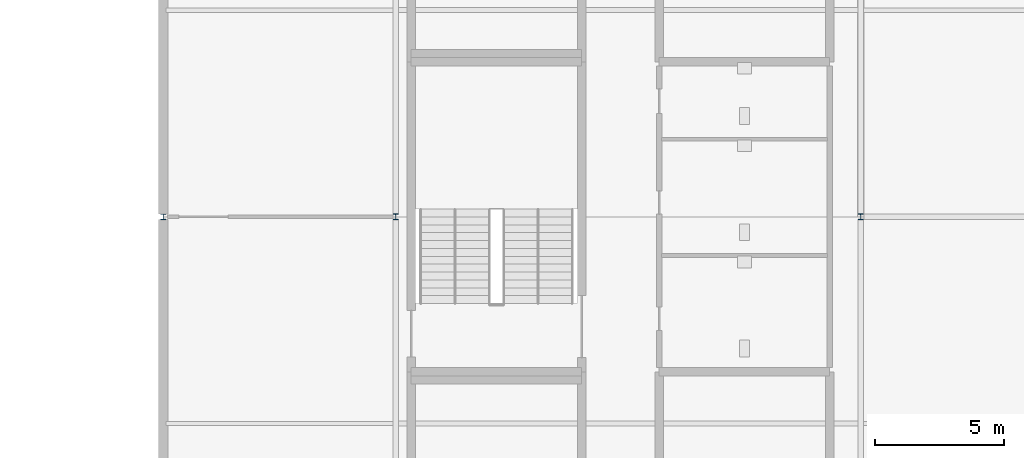
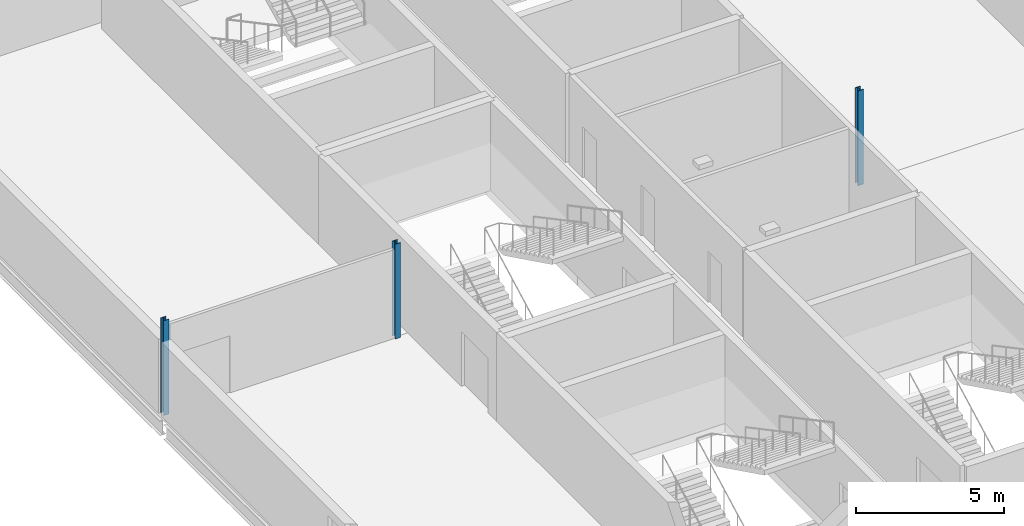
# One storey, part 11 of 35: 3 columns.
"""IFC4 building model written with IfcOpenShell, lengths in metres."""

from ifc_helpers import new_model, si_unit, direction, frame, origin, origin_2d, place, context, subcontext, project, spatial, i_section, extrude, material, material_profile, profile_set, type_object, element, save


model = new_model("IFC4")

# Units and contexts
model_context = context("Model", 3, precision=1e-05, world=origin(), true_north=direction((0.0, 1.0)))
body_context = subcontext(model_context, "Body", "Model", "MODEL_VIEW")
ifc_project = project(units=[si_unit("LENGTHUNIT", "METRE"), si_unit("AREAUNIT", "SQUARE_METRE"), si_unit("VOLUMEUNIT", "CUBIC_METRE"), si_unit("PLANEANGLEUNIT", "RADIAN"), si_unit("MASSUNIT", "GRAM", prefix="KILO")], contexts=[model_context])

# Site, building, storey
site_placement = place(None, origin())
site = spatial("IfcSite", under=ifc_project, at=site_placement, CompositionType="ELEMENT")
building_placement = place(site_placement, origin())
building = spatial("IfcBuilding", under=site, at=building_placement, Name="Kisiwana Market Hall", CompositionType="ELEMENT")
storey_placement = place(building_placement, frame((0.0, 0.0, 57.89990234375)))
storey = spatial("IfcBuildingStorey", under=building, at=storey_placement, Name="L13", CompositionType="ELEMENT", Elevation=57.89990234375)

# Columns
ifc_material_1 = material(Name="Steel S355", Category="steel")
ifc_material_profile_1 = material_profile(ifc_material_1, i_section(OverallWidth=0.205810546875, OverallDepth=0.209716796875, WebThickness=0.009521484375, FlangeThickness=0.01416015625, FilletRadius=0.01025390625, at=origin_2d()), Name="UC 203x203x60")
ifc_profile_set_1 = profile_set([ifc_material_profile_1], Name="Steel S355")
column_type_1 = type_object("IfcColumnType", Name="COL-STL-UC060", PredefinedType="COLUMN", material=ifc_profile_set_1)
column_placement = place(storey_placement, frame((162.0, 60.0, 0.0), z_axis=(0.0, 0.0, 1.0), x_axis=(1.0, 0.0, 0.0)))
element("IfcColumn", 1, at=column_placement, inside=storey, type_object=column_type_1, Name="Column H/19 (L13) C-1400", PredefinedType="COLUMN", context=body_context, shape_type="SweptSolid", body=[
    extrude(i_section(OverallWidth=0.205810546875, OverallDepth=0.209716796875, WebThickness=0.009521484375, FlangeThickness=0.01416015625, FilletRadius=0.01025390625, at=origin_2d()), origin(), (0.0, 0.0, 1.0), 3.900146484375),
])
ifc_material_2 = material(Name="Steel S355", Category="steel")
ifc_material_profile_2 = material_profile(ifc_material_2, i_section(OverallWidth=0.208984375, OverallDepth=0.22216796875, WebThickness=0.0126953125, FlangeThickness=0.0205078125, FilletRadius=0.01025390625, at=origin_2d()), Name="UC 203x203x86")
ifc_profile_set_2 = profile_set([ifc_material_profile_2], Name="Steel S355")
column_type_2 = type_object("IfcColumnType", Name="COL-STL-UC086", PredefinedType="COLUMN", material=ifc_profile_set_2)
for number, where, z_axis, x_axis, name in (
    (2, (171.0, 60.0, 0.0), (0.0, 0.0, 1.0), (1.0, 0.0, 0.0), "Column H/20 (L13) C-1426"),
    (3, (189.0, 60.0, 0.0), (0.0, 0.0, 1.0), (1.0, 0.0, 0.0), "Column H/22 (L13) C-1401"),
):
    element("IfcColumn", number, at=place(storey_placement, frame(where, z_axis=z_axis, x_axis=x_axis)), inside=storey, type_object=column_type_2, Name=name, PredefinedType="COLUMN", context=body_context, shape_type="SweptSolid", body=[
        extrude(i_section(OverallWidth=0.208984375, OverallDepth=0.22216796875, WebThickness=0.0126953125, FlangeThickness=0.0205078125, FilletRadius=0.01025390625, at=origin_2d()), origin(), (0.0, 0.0, 1.0), 3.900146484375),
    ])

save(model, "model.ifc")
